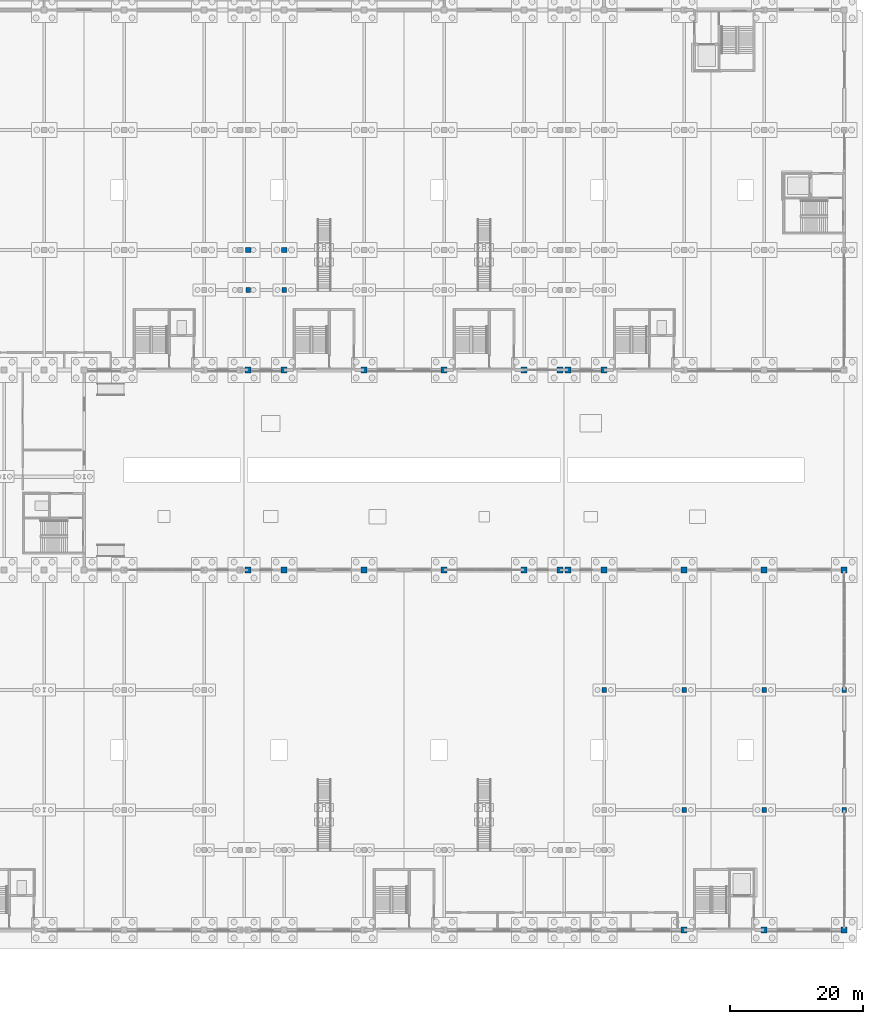
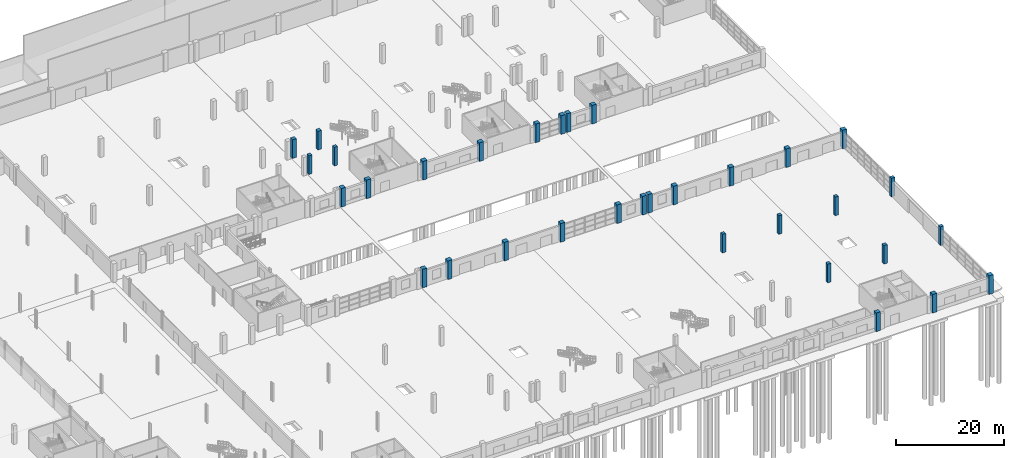
# One storey, part 28 of 77: 33 columns.
"""IFC4 building model written with IfcOpenShell, lengths in metres."""

from ifc_helpers import new_model, si_unit, direction, frame, origin, origin_2d, place, context, subcontext, project, spatial, rectangle, extrude, material, material_profile, profile_set, type_object, element, save


model = new_model("IFC4")

# Units and contexts
model_context = context("Model", 3, precision=1e-05, world=origin(), true_north=direction((0.0, 1.0)))
body_context = subcontext(model_context, "Body", "Model", "MODEL_VIEW")
ifc_project = project(units=[si_unit("LENGTHUNIT", "METRE"), si_unit("AREAUNIT", "SQUARE_METRE"), si_unit("VOLUMEUNIT", "CUBIC_METRE"), si_unit("PLANEANGLEUNIT", "RADIAN"), si_unit("MASSUNIT", "GRAM", prefix="KILO")], contexts=[model_context])

# Site, building, storey
site_placement = place(None, origin())
site = spatial("IfcSite", under=ifc_project, at=site_placement, CompositionType="ELEMENT")
building_placement = place(site_placement, origin())
building = spatial("IfcBuilding", under=site, at=building_placement, Name="Zilviju Railside Exhibition Hall", CompositionType="ELEMENT")
storey_placement = place(building_placement, origin())
storey = spatial("IfcBuildingStorey", under=building, at=storey_placement, Name="L01", CompositionType="ELEMENT", Elevation=0.0)

# Columns
ifc_material_1 = material(Name="Concrete C35/45", Category="concrete")
ifc_material_profile_1 = material_profile(ifc_material_1, rectangle(XDim=0.699951171875, YDim=0.699951171875, at=origin_2d()), Name="RC COL 700x700")
ifc_profile_set_1 = profile_set([ifc_material_profile_1], Name="Concrete C35/45")
column_type_1 = type_object("IfcColumnType", Name="COL-RC-700", PredefinedType="COLUMN", material=ifc_profile_set_1)
for number, where, z_axis, x_axis, name in (
    (1, (192.0, 18.0, 0.0), (0.0, 0.0, 1.0), (1.0, 0.0, 0.0), "Structural Column L01 (192.0, 18.0)"),
    (2, (204.0, 18.0, 0.0), (0.0, 0.0, 1.0), (1.0, 0.0, 0.0), "Structural Column L01 (204.0, 18.0)"),
    (3, (216.0, 18.0, 0.0), (0.0, 0.0, 1.0), (1.0, 0.0, 0.0), "Structural Column L01 (216.0, 18.0)"),
    (4, (180.0, 36.0, 0.0), (0.0, 0.0, 1.0), (1.0, 0.0, 0.0), "Structural Column L01 (180.0, 36.0)"),
    (5, (192.0, 36.0, 0.0), (0.0, 0.0, 1.0), (1.0, 0.0, 0.0), "Structural Column L01 (192.0, 36.0)"),
    (6, (204.0, 36.0, 0.0), (0.0, 0.0, 1.0), (1.0, 0.0, 0.0), "Structural Column L01 (204.0, 36.0)"),
    (7, (216.0, 36.0, 0.0), (0.0, 0.0, 1.0), (1.0, 0.0, 0.0), "Structural Column L01 (216.0, 36.0)"),
    (8, (126.60009765625, 96.0, 0.0), (0.0, 0.0, 1.0), (1.0, 0.0, 0.0), "Structural Column L01 (126.6, 96.0)"),
    (9, (132.0, 96.0, 0.0), (0.0, 0.0, 1.0), (1.0, 0.0, 0.0), "Structural Column L01 (132.0, 96.0)"),
):
    element("IfcColumn", number, at=place(storey_placement, frame(where, z_axis=z_axis, x_axis=x_axis)), inside=storey, type_object=column_type_1, Name=name, PredefinedType="COLUMN", context=body_context, shape_type="SweptSolid", body=[
        extrude(rectangle(XDim=0.699951171875, YDim=0.699951171875, at=origin_2d()), origin(), (0.0, 0.0, 1.0), 4.199951171875),
    ])
ifc_material_2 = material(Name="Concrete C40/50", Category="concrete")
ifc_material_profile_2 = material_profile(ifc_material_2, rectangle(XDim=0.800048828125, YDim=0.800048828125, at=origin_2d()), Name="RC COL 800x800")
ifc_profile_set_2 = profile_set([ifc_material_profile_2], Name="Concrete C40/50")
column_type_2 = type_object("IfcColumnType", Name="COL-RC-800", PredefinedType="COLUMN", material=ifc_profile_set_2)
for number, where, z_axis, x_axis, name in (
    (10, (126.60009765625, 102.0, 0.0), (0.0, 0.0, 1.0), (1.0, 0.0, 0.0), "Structural Column L01 (126.6, 102.0)"),
    (11, (132.0, 102.0, 0.0), (0.0, 0.0, 1.0), (1.0, 0.0, 0.0), "Structural Column L01 (132.0, 102.0)"),
):
    element("IfcColumn", number, at=place(storey_placement, frame(where, z_axis=z_axis, x_axis=x_axis)), inside=storey, type_object=column_type_2, Name=name, PredefinedType="COLUMN", context=body_context, shape_type="SweptSolid", body=[
        extrude(rectangle(XDim=0.800048828125, YDim=0.800048828125, at=origin_2d()), origin(), (0.0, 0.0, 1.0), 4.199951171875),
    ])
ifc_material_profile_3 = material_profile(ifc_material_2, rectangle(XDim=0.89990234375, YDim=0.89990234375, at=origin_2d()), Name="RC COL 900x900")
ifc_profile_set_3 = profile_set([ifc_material_profile_3], Name="Concrete C40/50")
column_type_3 = type_object("IfcColumnType", Name="COL-RC-900", PredefinedType="COLUMN", material=ifc_profile_set_3)
for number, where, z_axis, x_axis, name in (
    (12, (192.0, 0.0, 0.0), (0.0, 0.0, 1.0), (1.0, 0.0, 0.0), "Structural Column L01 (192.0, 0.0)"),
    (13, (204.0, 0.0, 0.0), (0.0, 0.0, 1.0), (1.0, 0.0, 0.0), "Structural Column L01 (204.0, 0.0)"),
    (14, (216.0, 0.0, 0.0), (0.0, 0.0, 1.0), (1.0, 0.0, 0.0), "Structural Column L01 (216.0, 0.0)"),
    (15, (126.60009765625, 54.0, 0.0), (0.0, 0.0, 1.0), (1.0, 0.0, 0.0), "Structural Column L01 (126.6, 54.0)"),
    (16, (132.0, 54.0, 0.0), (0.0, 0.0, 1.0), (1.0, 0.0, 0.0), "Structural Column L01 (132.0, 54.0)"),
    (17, (144.0, 54.0, 0.0), (0.0, 0.0, 1.0), (1.0, 0.0, 0.0), "Structural Column L01 (144.0, 54.0)"),
    (18, (156.0, 54.0, 0.0), (0.0, 0.0, 1.0), (1.0, 0.0, 0.0), "Structural Column L01 (156.0, 54.0)"),
    (19, (168.0, 54.0, 0.0), (0.0, 0.0, 1.0), (1.0, 0.0, 0.0), "Structural Column L01 (168.0, 54.0)"),
    (20, (173.39990234375, 54.0, 0.0), (0.0, 0.0, 1.0), (1.0, 0.0, 0.0), "Structural Column L01 (173.4, 54.0)"),
    (21, (174.60009765625, 54.0, 0.0), (0.0, 0.0, 1.0), (1.0, 0.0, 0.0), "Structural Column L01 (174.6, 54.0)"),
    (22, (180.0, 54.0, 0.0), (0.0, 0.0, 1.0), (1.0, 0.0, 0.0), "Structural Column L01 (180.0, 54.0)"),
    (23, (192.0, 54.0, 0.0), (0.0, 0.0, 1.0), (1.0, 0.0, 0.0), "Structural Column L01 (192.0, 54.0)"),
    (24, (204.0, 54.0, 0.0), (0.0, 0.0, 1.0), (1.0, 0.0, 0.0), "Structural Column L01 (204.0, 54.0)"),
    (25, (216.0, 54.0, 0.0), (0.0, 0.0, 1.0), (1.0, 0.0, 0.0), "Structural Column L01 (216.0, 54.0)"),
    (26, (126.60009765625, 84.0, 0.0), (0.0, 0.0, 1.0), (1.0, 0.0, 0.0), "Structural Column L01 (126.6, 84.0)"),
    (27, (132.0, 84.0, 0.0), (0.0, 0.0, 1.0), (1.0, 0.0, 0.0), "Structural Column L01 (132.0, 84.0)"),
    (28, (144.0, 84.0, 0.0), (0.0, 0.0, 1.0), (1.0, 0.0, 0.0), "Structural Column L01 (144.0, 84.0)"),
    (29, (156.0, 84.0, 0.0), (0.0, 0.0, 1.0), (1.0, 0.0, 0.0), "Structural Column L01 (156.0, 84.0)"),
    (30, (168.0, 84.0, 0.0), (0.0, 0.0, 1.0), (1.0, 0.0, 0.0), "Structural Column L01 (168.0, 84.0)"),
    (31, (173.39990234375, 84.0, 0.0), (0.0, 0.0, 1.0), (1.0, 0.0, 0.0), "Structural Column L01 (173.4, 84.0)"),
    (32, (174.60009765625, 84.0, 0.0), (0.0, 0.0, 1.0), (1.0, 0.0, 0.0), "Structural Column L01 (174.6, 84.0)"),
    (33, (180.0, 84.0, 0.0), (0.0, 0.0, 1.0), (1.0, 0.0, 0.0), "Structural Column L01 (180.0, 84.0)"),
):
    element("IfcColumn", number, at=place(storey_placement, frame(where, z_axis=z_axis, x_axis=x_axis)), inside=storey, type_object=column_type_3, Name=name, PredefinedType="COLUMN", context=body_context, shape_type="SweptSolid", body=[
        extrude(rectangle(XDim=0.89990234375, YDim=0.89990234375, at=origin_2d()), origin(), (0.0, 0.0, 1.0), 4.199951171875),
    ])

save(model, "model.ifc")
